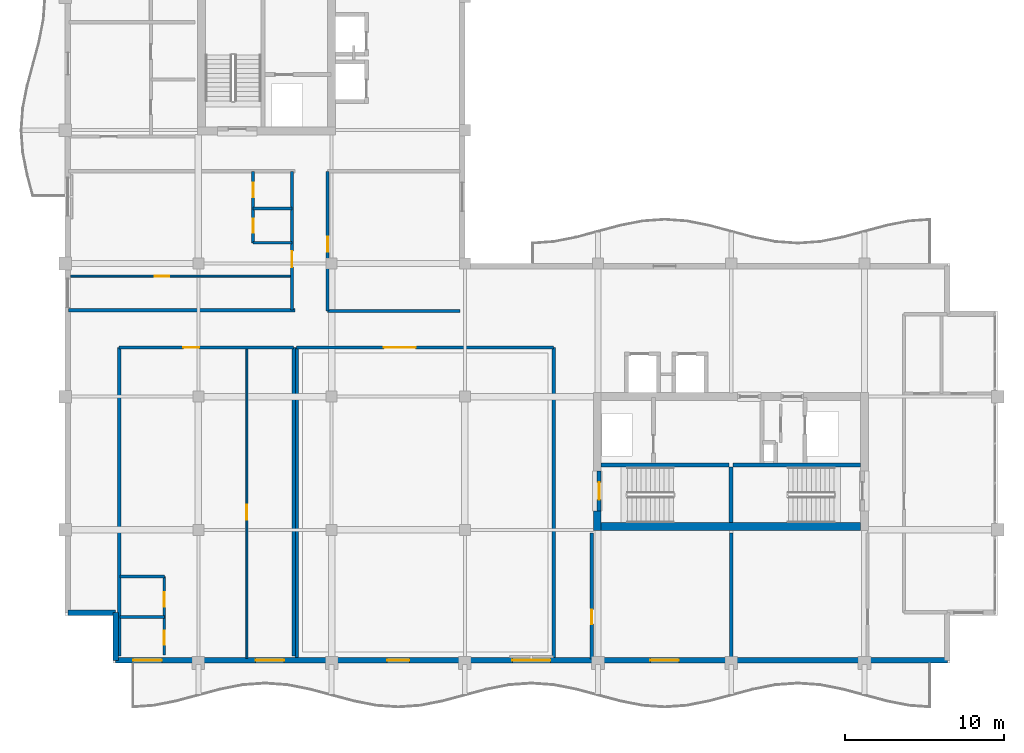
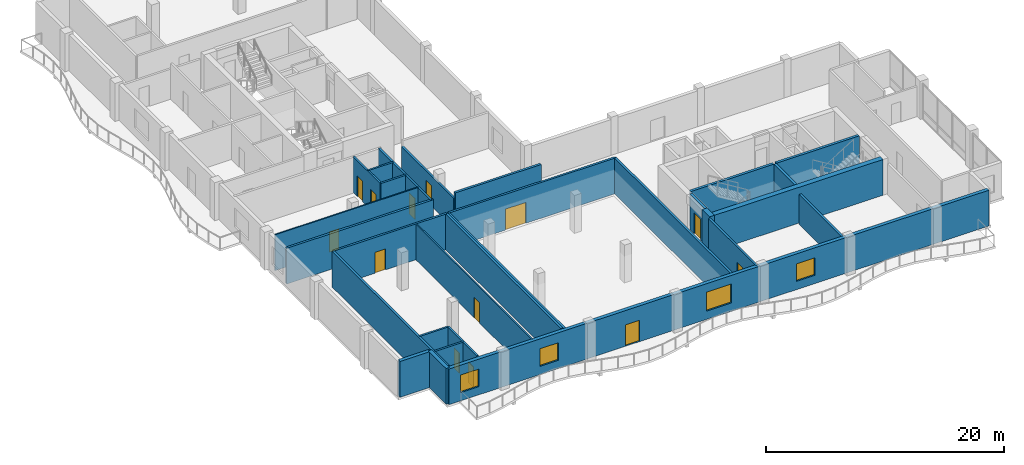
# One storey, part 6 of 14: 29 walls, 13 doors, 4 windows, 17 openings.
"""IFC4 building model written with IfcOpenShell, lengths in metres."""

from ifc_helpers import new_model, si_unit, direction, frame, frame_2d, origin, place, context, subcontext, project, spatial, rectangle, extrude, material, layer, layer_set, type_object, element, fill, save


model = new_model("IFC4")

# Units and contexts
model_context = context("Model", 3, precision=1e-05, world=origin(), true_north=direction((0.0, 1.0)))
body_context = subcontext(model_context, "Body", "Model", "MODEL_VIEW")
ifc_project = project(units=[si_unit("LENGTHUNIT", "METRE"), si_unit("AREAUNIT", "SQUARE_METRE"), si_unit("VOLUMEUNIT", "CUBIC_METRE"), si_unit("PLANEANGLEUNIT", "RADIAN"), si_unit("MASSUNIT", "GRAM", prefix="KILO")], contexts=[model_context])

# Site, building, storey
site_placement = place(None, origin())
site = spatial("IfcSite", under=ifc_project, at=site_placement, CompositionType="ELEMENT")
building_placement = place(site_placement, origin())
building = spatial("IfcBuilding", under=site, at=building_placement, Name="Koriwani Terraces Tower", CompositionType="ELEMENT")
storey_placement = place(building_placement, frame((0.0, 0.0, 339.800048828125)))
storey = spatial("IfcBuildingStorey", under=building, at=storey_placement, Name="L84", CompositionType="ELEMENT", Elevation=339.800048828125)

# Walls
ifc_material_1 = material(Name="Concrete C50/60", Category="concrete")
ifc_layer_1 = layer(ifc_material_1, 0.5, Name="Concrete C50/60")
ifc_layer_set_1 = layer_set([ifc_layer_1], Name="Concrete C50/60")
wall_type_1 = type_object("IfcWallType", Name="WALL_CORE_RC_500", PredefinedType="SHEAR", material=ifc_layer_set_1)
wall_1_placement = place(storey_placement, frame((41.949951171875, 16.75, 0.0), z_axis=(0.0, 0.0, 1.0), x_axis=(0.0, 1.0, 0.0)))
element("IfcWall", 1, at=wall_1_placement, inside=storey, type_object=wall_type_1, Name="L84 East Split Core Shear Wall W1", PredefinedType="SHEAR", context=body_context, shape_type="SweptSolid", body=[
    extrude(rectangle(XDim=1.25, YDim=0.5, at=frame_2d((0.625, 0.0))), origin(), (0.0, 0.0, 1.0), 3.669921875),
])
wall_2_placement = place(storey_placement, frame((42.199951171875, 17.0, 0.0), z_axis=(0.0, 0.0, 1.0), x_axis=(1.0, 0.0, 0.0)))
element("IfcWall", 2, at=wall_2_placement, inside=storey, type_object=wall_type_1, Name="L84 East Split Core Shear Wall S1", PredefinedType="SHEAR", context=body_context, shape_type="SweptSolid", body=[
    extrude(rectangle(XDim=16.35009765625, YDim=0.5, at=frame_2d((8.175048828125, 0.0))), origin(), (0.0, 0.0, 1.0), 3.669921875),
])

# Wall, opening, door
ifc_material_2 = material(Name="Autoclaved Cellular Concrete Blockwork", Category="masonry")
ifc_layer_2 = layer(ifc_material_2, 0.199951171875, Name="Autoclaved Cellular Concrete Blockwork")
ifc_layer_set_2 = layer_set([ifc_layer_2], Name="Autoclaved Cellular Concrete Blockwork")
wall_type_2 = type_object("IfcWallType", Name="WALL_CORRIDOR_200", PredefinedType="PARTITIONING", material=ifc_layer_set_2)
wall_3_placement = place(storey_placement, frame((24.949951171875, 30.60009765625, 0.0), z_axis=(0.0, 0.0, 1.0), x_axis=(0.0, 1.0, 0.0)))
wall_3 = element("IfcWall", 3, at=wall_3_placement, inside=storey, type_object=wall_type_2, Name="L84 Interior Wall WIC4W-L84", PredefinedType="PARTITIONING", context=body_context, shape_type="SweptSolid", body=[
    extrude(rectangle(XDim=8.7998046875, YDim=0.199951171875, at=frame_2d((4.39990234375, 0.0))), origin(), (0.0, 0.0, 1.0), 3.070068359375),
])
opening_1_placement = place(wall_3_placement, frame((3.75, 0.0, 0.0)))
opening_1 = element("IfcOpeningElement", 4, at=opening_1_placement, cuts=wall_3, Name="Opening D-06", PredefinedType="OPENING", context=body_context, shape_type="SweptSolid", body=[
    extrude(rectangle(XDim=0.919921875, YDim=2.10009765625, at=frame_2d((0.4599609375, 1.050048828125))), frame((0.0, 0.10986328125, 0.0), z_axis=(0.0, -1.0, 0.0), x_axis=(1.0, 0.0, 0.0)), (0.0, 0.0, 1.0), 0.219970703125),
])
ifc_material_3 = material(Name="Architectural Oak Fire Door", Category="wood")
door_type_1 = type_object("IfcDoorType", Name="DOOR_ROOM_INT_920X2100", OperationType="NOTDEFINED", PredefinedType="DOOR", material=ifc_material_3)
door_1_placement = place(opening_1_placement, origin())
door_1 = element("IfcDoor", 5, at=door_1_placement, inside=storey, type_object=door_type_1, Name="L84 High-Rise Court Study Door", OperationType="SINGLE_SWING_RIGHT", OverallHeight=2.10009765625, OverallWidth=0.919921875, PredefinedType="DOOR", context=body_context, shape_type="SweptSolid", body=[
    extrude(rectangle(XDim=0.919921875, YDim=2.10009765625, at=frame_2d((0.4599609375, 1.050048828125))), frame((0.0, 0.02490234375, 0.0), z_axis=(0.0, -1.0, 0.0), x_axis=(1.0, 0.0, 0.0)), (0.0, 0.0, 1.0), 0.050048828125),
])
fill(opening_1, door_1)

wall_4_placement = place(storey_placement, frame((41.60009765625, 8.64990234375, 0.0), z_axis=(0.0, 0.0, 1.0), x_axis=(0.0, 1.0, 0.0)))
wall_4 = element("IfcWall", 6, at=wall_4_placement, inside=storey, type_object=wall_type_2, Name="L84 Interior Wall WRZ4-EW-L84", PredefinedType="PARTITIONING", context=body_context, shape_type="SweptSolid", body=[
    extrude(rectangle(XDim=7.9501953125, YDim=0.199951171875, at=frame_2d((3.97509765625, 0.0))), origin(), (0.0, 0.0, 1.0), 3.669921875),
])
opening_2_placement = place(wall_4_placement, frame((2.199951171875, 0.0, 0.0)))
opening_2 = element("IfcOpeningElement", 7, at=opening_2_placement, cuts=wall_4, Name="Opening D-06", PredefinedType="OPENING", context=body_context, shape_type="SweptSolid", body=[
    extrude(rectangle(XDim=0.919921875, YDim=2.10009765625, at=frame_2d((0.4599609375, 1.050048828125))), frame((0.0, 0.10986328125, 0.0), z_axis=(0.0, -1.0, 0.0), x_axis=(1.0, 0.0, 0.0)), (0.0, 0.0, 1.0), 0.219970703125),
])
door_2_placement = place(opening_2_placement, origin())
door_2 = element("IfcDoor", 8, at=door_2_placement, inside=storey, type_object=door_type_1, Name="L84 Resident Library Study Door", OperationType="SINGLE_SWING_LEFT", OverallHeight=2.10009765625, OverallWidth=0.919921875, PredefinedType="DOOR", context=body_context, shape_type="SweptSolid", body=[
    extrude(rectangle(XDim=0.919921875, YDim=2.10009765625, at=frame_2d((0.4599609375, 1.050048828125))), frame((0.0, 0.02490234375, 0.0), z_axis=(0.0, -1.0, 0.0), x_axis=(1.0, 0.0, 0.0)), (0.0, 0.0, 1.0), 0.050048828125),
])
fill(opening_2, door_2)

wall_5_placement = place(storey_placement, frame((11.800048828125, 28.300048828125, 0.0), z_axis=(0.0, 0.0, 1.0), x_axis=(1.0, 0.0, 0.0)))
wall_5 = element("IfcWall", 9, at=wall_5_placement, inside=storey, type_object=wall_type_2, Name="L84 Interior Wall WGB-L84-SPINE-N", PredefinedType="PARTITIONING", context=body_context, shape_type="SweptSolid", body=[
    extrude(rectangle(XDim=11.0, YDim=0.199951171875, at=frame_2d((5.5, 0.0))), origin(), (0.0, 0.0, 1.0), 3.669921875),
])
opening_3_placement = place(wall_5_placement, frame((4.050048828125, 0.0, 0.0)))
opening_3 = element("IfcOpeningElement", 10, at=opening_3_placement, cuts=wall_5, Name="Opening D-05", PredefinedType="OPENING", context=body_context, shape_type="SweptSolid", body=[
    extrude(rectangle(XDim=1.0, YDim=2.14990234375, at=frame_2d((0.5, 1.074951171875))), frame((0.0, 0.10986328125, 0.0), z_axis=(0.0, -1.0, 0.0), x_axis=(1.0, 0.0, 0.0)), (0.0, 0.0, 1.0), 0.219970703125),
])
door_type_2 = type_object("IfcDoorType", Name="DOOR_SUITE_ENTRY_1000X2150", OperationType="NOTDEFINED", PredefinedType="DOOR", material=ifc_material_3)
door_3_placement = place(opening_3_placement, origin())
door_3 = element("IfcDoor", 11, at=door_3_placement, inside=storey, type_object=door_type_2, Name="Corner Residence 84SP Entrance Door", OperationType="SINGLE_SWING_LEFT", OverallHeight=2.14990234375, OverallWidth=1.0, PredefinedType="DOOR", context=body_context, shape_type="SweptSolid", body=[
    extrude(rectangle(XDim=1.0, YDim=2.14990234375, at=frame_2d((0.5, 1.074951171875))), frame((0.0, 0.02490234375, 0.0), z_axis=(0.0, -1.0, 0.0), x_axis=(1.0, 0.0, 0.0)), (0.0, 0.0, 1.0), 0.050048828125),
])
fill(opening_3, door_3)

wall_6_placement = place(storey_placement, frame((23.0, 28.300048828125, 0.0), z_axis=(0.0, 0.0, 1.0), x_axis=(1.0, 0.0, 0.0)))
wall_6 = element("IfcWall", 12, at=wall_6_placement, inside=storey, type_object=wall_type_2, Name="L84 Interior Wall WSPCLB-N-L84", PredefinedType="PARTITIONING", context=body_context, shape_type="SweptSolid", body=[
    extrude(rectangle(XDim=16.199951171875, YDim=0.199951171875, at=frame_2d((8.10009765625, 0.0))), origin(), (0.0, 0.0, 1.0), 3.669921875),
])
opening_4_placement = place(wall_6_placement, frame((5.5, 0.0, 0.0)))
opening_4 = element("IfcOpeningElement", 13, at=opening_4_placement, cuts=wall_6, Name="Opening D-02", PredefinedType="OPENING", context=body_context, shape_type="SweptSolid", body=[
    extrude(rectangle(XDim=2.0, YDim=2.14990234375, at=frame_2d((1.0, 1.074951171875))), frame((0.0, 0.10986328125, 0.0), z_axis=(0.0, -1.0, 0.0), x_axis=(1.0, 0.0, 0.0)), (0.0, 0.0, 1.0), 0.219970703125),
])
ifc_material_4 = material(Name="Anodised Bronze Aluminium", Category="aluminium")
door_type_3 = type_object("IfcDoorType", Name="DOOR_ENTRANCE_DOUBLE_2000X2400", OperationType="NOTDEFINED", PredefinedType="DOOR", material=ifc_material_4)
door_4_placement = place(opening_4_placement, origin())
door_4 = element("IfcDoor", 14, at=door_4_placement, inside=storey, type_object=door_type_3, Name="L84 Sky Screening Salon Door", OperationType="SINGLE_SWING_LEFT", OverallHeight=2.14990234375, OverallWidth=2.0, PredefinedType="DOOR", context=body_context, shape_type="SweptSolid", body=[
    extrude(rectangle(XDim=2.0, YDim=2.14990234375, at=frame_2d((1.0, 1.074951171875))), frame((0.0, 0.02490234375, 0.0), z_axis=(0.0, -1.0, 0.0), x_axis=(1.0, 0.0, 0.0)), (0.0, 0.0, 1.0), 0.050048828125),
])
fill(opening_4, door_4)

wall_7_placement = place(storey_placement, frame((22.699951171875, 30.64990234375, 0.0), z_axis=(0.0, 0.0, 1.0), x_axis=(0.0, 1.0, 0.0)))
wall_7 = element("IfcWall", 15, at=wall_7_placement, inside=storey, type_object=wall_type_2, Name="L84 Interior Wall WRCOR-L84-NE-0", PredefinedType="PARTITIONING", context=body_context, shape_type="SweptSolid", body=[
    extrude(rectangle(XDim=8.75, YDim=0.199951171875, at=frame_2d((4.375, 0.0))), origin(), (0.0, 0.0, 1.0), 3.669921875),
])
opening_5_placement = place(wall_7_placement, frame((2.719970703125, 0.0, 0.0)))
opening_5 = element("IfcOpeningElement", 16, at=opening_5_placement, cuts=wall_7, Name="Opening D-05", PredefinedType="OPENING", context=body_context, shape_type="SweptSolid", body=[
    extrude(rectangle(XDim=1.0, YDim=2.14990234375, at=frame_2d((0.5, 1.074951171875))), frame((0.0, 0.10986328125, 0.0), z_axis=(0.0, -1.0, 0.0), x_axis=(1.0, 0.0, 0.0)), (0.0, 0.0, 1.0), 0.219970703125),
])
door_5_placement = place(opening_5_placement, origin())
door_5 = element("IfcDoor", 17, at=door_5_placement, inside=storey, type_object=door_type_2, Name="Apartment 84NE1 Entrance Door", OperationType="SINGLE_SWING_RIGHT", OverallHeight=2.14990234375, OverallWidth=1.0, PredefinedType="DOOR", context=body_context, shape_type="SweptSolid", body=[
    extrude(rectangle(XDim=1.0, YDim=2.14990234375, at=frame_2d((0.5, 1.074951171875))), frame((0.0, 0.02490234375, 0.0), z_axis=(0.0, -1.0, 0.0), x_axis=(1.0, 0.0, 0.0)), (0.0, 0.0, 1.0), 0.050048828125),
])
fill(opening_5, door_5)

# Walls
ifc_layer_3 = layer(ifc_material_2, 0.219970703125, Name="Autoclaved Cellular Concrete Blockwork")
ifc_layer_set_3 = layer_set([ifc_layer_3], Name="Autoclaved Cellular Concrete Blockwork")
wall_type_3 = type_object("IfcWallType", Name="WALL_DEMISING_220", PredefinedType="PARTITIONING", material=ifc_layer_set_3)
wall_8_placement = place(storey_placement, frame((24.949951171875, 30.60009765625, 0.0), z_axis=(0.0, 0.0, 1.0), x_axis=(1.0, 0.0, 0.0)))
element("IfcWall", 18, at=wall_8_placement, inside=storey, type_object=wall_type_3, Name="L84 Interior Wall WIC4WS-L84", PredefinedType="PARTITIONING", context=body_context, shape_type="SweptSolid", body=[
    extrude(rectangle(XDim=8.35009765625, YDim=0.219970703125, at=frame_2d((4.175048828125, 0.0))), origin(), (0.0, 0.0, 1.0), 3.669921875),
])
wall_9_placement = place(storey_placement, frame((50.39990234375, 8.64990234375, 0.0), z_axis=(0.0, 0.0, 1.0), x_axis=(0.0, 1.0, 0.0)))
element("IfcWall", 19, at=wall_9_placement, inside=storey, type_object=wall_type_3, Name="L84 Interior Wall WRZ4-EM-L84", PredefinedType="PARTITIONING", context=body_context, shape_type="SweptSolid", body=[
    extrude(rectangle(XDim=7.9501953125, YDim=0.219970703125, at=frame_2d((3.97509765625, 0.0))), origin(), (0.0, 0.0, 1.0), 3.070068359375),
])
for number, where, z_axis, x_axis, name in (
    (20, (22.800048828125, 8.85009765625, 0.0), (0.0, 0.0, 1.0), (0.0, 1.0, 0.0), "L84 Interior Wall WGB-L84-SPINE-E"),
    (21, (11.800048828125, 8.85009765625, 0.0), (0.0, 0.0, 1.0), (0.0, 1.0, 0.0), "L84 Interior Wall WGB-L84-SPINE-W"),
):
    element("IfcWall", number, at=place(storey_placement, frame(where, z_axis=z_axis, x_axis=x_axis)), inside=storey, type_object=wall_type_3, Name=name, PredefinedType="PARTITIONING", context=body_context, shape_type="SweptSolid", body=[
        extrude(rectangle(XDim=19.449951171875, YDim=0.219970703125, at=frame_2d((9.72509765625, 0.0))), origin(), (0.0, 0.0, 1.0), 3.669921875),
    ])
for number, where, z_axis, x_axis, name in (
    (22, (23.0, 8.75, 0.0), (0.0, 0.0, 1.0), (0.0, 1.0, 0.0), "L84 Interior Wall WSPCLB-W-L84"),
    (23, (39.199951171875, 8.75, 0.0), (0.0, 0.0, 1.0), (0.0, 1.0, 0.0), "L84 Interior Wall WSPCLB-E-L84"),
):
    element("IfcWall", number, at=place(storey_placement, frame(where, z_axis=z_axis, x_axis=x_axis)), inside=storey, type_object=wall_type_3, Name=name, PredefinedType="PARTITIONING", context=body_context, shape_type="SweptSolid", body=[
        extrude(rectangle(XDim=19.550048828125, YDim=0.219970703125, at=frame_2d((9.77490234375, 0.0))), origin(), (0.0, 0.0, 1.0), 3.669921875),
    ])
wall_10_placement = place(storey_placement, frame((8.60009765625, 30.64990234375, 0.0), z_axis=(0.0, 0.0, 1.0), x_axis=(1.0, 0.0, 0.0)))
element("IfcWall", 24, at=wall_10_placement, inside=storey, type_object=wall_type_3, Name="L84 Interior Wall WRDEM-L84-NE-0", PredefinedType="PARTITIONING", context=body_context, shape_type="SweptSolid", body=[
    extrude(rectangle(XDim=14.27978515625, YDim=0.219970703125, at=frame_2d((7.139892578125, 0.0))), origin(), (0.0, 0.0, 1.0), 3.669921875),
])
ifc_layer_4 = layer(ifc_material_1, 0.35009765625, Name="Concrete C50/60")
ifc_layer_set_4 = layer_set([ifc_layer_4], Name="Concrete C50/60")
wall_type_4 = type_object("IfcWallType", Name="WALL_EXT_BRUTALIST_350", PredefinedType="STANDARD", material=ifc_layer_set_4)
for number, where, z_axis, x_axis, name in (
    (25, (11.574951171875, 8.574951171875, 0.0), (0.0, 0.0, 1.0), (0.0, 1.0, 0.0), "L84 Fair-Faced Brutalist Exterior Wall (N0)"),
    (26, (11.574951171875, 11.574951171875, 0.0), (0.0, 0.0, 1.0), (-1.0, 0.0, 0.0), "L84 Fair-Faced Brutalist Exterior Wall (N1)"),
):
    element("IfcWall", number, at=place(storey_placement, frame(where, z_axis=z_axis, x_axis=x_axis)), inside=storey, type_object=wall_type_4, Name=name, PredefinedType="STANDARD", context=body_context, shape_type="SweptSolid", body=[
        extrude(rectangle(XDim=3.0, YDim=0.35009765625, at=frame_2d((1.5, 0.0))), origin(), (0.0, 0.0, 1.0), 3.669921875),
    ])

# Wall, openings, door, windows
wall_11_placement = place(storey_placement, frame((64.02490234375, 8.574951171875, 0.0), z_axis=(0.0, 0.0, 1.0), x_axis=(-1.0, 0.0, 0.0)))
wall_11 = element("IfcWall", 27, at=wall_11_placement, inside=storey, type_object=wall_type_4, Name="L84 Fair-Faced Brutalist Exterior Wall (S)", PredefinedType="STANDARD", context=body_context, shape_type="SweptSolid", body=[
    extrude(rectangle(XDim=52.449951171875, YDim=0.35009765625, at=frame_2d((26.22509765625, 0.0))), origin(), (0.0, 0.0, 1.0), 3.669921875),
])
opening_6_placement = place(wall_11_placement, frame((33.925048828125, 0.0, 0.0)))
opening_6 = element("IfcOpeningElement", 28, at=opening_6_placement, cuts=wall_11, Name="Opening D-09", PredefinedType="OPENING", context=body_context, shape_type="SweptSolid", body=[
    extrude(rectangle(XDim=1.39990234375, YDim=2.199951171875, at=frame_2d((0.699951171875, 1.10009765625))), frame((0.0, 0.18505859375, 0.0), z_axis=(0.0, -1.0, 0.0), x_axis=(1.0, 0.0, 0.0)), (0.0, 0.0, 1.0), 0.3701171875),
])
opening_7_placement = place(wall_11_placement, frame((25.02490234375, 0.0, 0.85009765625)))
opening_7 = element("IfcOpeningElement", 29, at=opening_7_placement, cuts=wall_11, Name="Opening W-03", PredefinedType="OPENING", context=body_context, shape_type="SweptSolid", body=[
    extrude(rectangle(XDim=2.39990234375, YDim=1.949951171875, at=frame_2d((1.199951171875, 0.97509765625))), frame((0.0, 0.18505859375, 0.0), z_axis=(0.0, -1.0, 0.0), x_axis=(1.0, 0.0, 0.0)), (0.0, 0.0, 1.0), 0.3701171875),
])
opening_8_placement = place(wall_11_placement, frame((16.925048828125, 0.0, 0.85009765625)))
opening_8 = element("IfcOpeningElement", 30, at=opening_8_placement, cuts=wall_11, Name="Opening W-04", PredefinedType="OPENING", context=body_context, shape_type="SweptSolid", body=[
    extrude(rectangle(XDim=1.800048828125, YDim=1.800048828125, at=frame_2d((0.89990234375, 0.89990234375))), frame((0.0, 0.18505859375, 0.0), z_axis=(0.0, -1.0, 0.0), x_axis=(1.0, 0.0, 0.0)), (0.0, 0.0, 1.0), 0.3701171875),
])
opening_9_placement = place(wall_11_placement, frame((41.81494140625, 0.0, 0.85009765625)))
opening_9 = element("IfcOpeningElement", 31, at=opening_9_placement, cuts=wall_11, Name="Opening W-04", PredefinedType="OPENING", context=body_context, shape_type="SweptSolid", body=[
    extrude(rectangle(XDim=1.800048828125, YDim=1.800048828125, at=frame_2d((0.89990234375, 0.89990234375))), frame((0.0, 0.18505859375, 0.0), z_axis=(0.0, -1.0, 0.0), x_axis=(1.0, 0.0, 0.0)), (0.0, 0.0, 1.0), 0.3701171875),
])
opening_10_placement = place(wall_11_placement, frame((49.534912109375, 0.0, 0.85009765625)))
opening_10 = element("IfcOpeningElement", 32, at=opening_10_placement, cuts=wall_11, Name="Opening W-04", PredefinedType="OPENING", context=body_context, shape_type="SweptSolid", body=[
    extrude(rectangle(XDim=1.800048828125, YDim=1.800048828125, at=frame_2d((0.89990234375, 0.89990234375))), frame((0.0, 0.18505859375, 0.0), z_axis=(0.0, -1.0, 0.0), x_axis=(1.0, 0.0, 0.0)), (0.0, 0.0, 1.0), 0.3701171875),
])
door_type_4 = type_object("IfcDoorType", Name="DOOR_BALCONY_GLAZED_1400X2200", OperationType="NOTDEFINED", PredefinedType="DOOR", material=ifc_material_4)
door_6_placement = place(opening_6_placement, origin())
door_6 = element("IfcDoor", 33, at=door_6_placement, inside=storey, type_object=door_type_4, Name="L84 South Balcony Glazed Door", OperationType="SINGLE_SWING_LEFT", OverallHeight=2.199951171875, OverallWidth=1.39990234375, PredefinedType="DOOR", context=body_context, shape_type="SweptSolid", body=[
    extrude(rectangle(XDim=1.39990234375, YDim=2.199951171875, at=frame_2d((0.699951171875, 1.10009765625))), frame((0.0, 0.02490234375, 0.0), z_axis=(0.0, -1.0, 0.0), x_axis=(1.0, 0.0, 0.0)), (0.0, 0.0, 1.0), 0.050048828125),
])
fill(opening_6, door_6)
ifc_material_5 = material(Name="Tempered Laminated Low-E Glass", Category="glass")
window_type_1 = type_object("IfcWindowType", Name="WIN_RES_BED_1800X1800", PartitioningType="DOUBLE_PANEL_VERTICAL", PredefinedType="WINDOW", material=ifc_material_5)
window_1_placement = place(opening_8_placement, origin())
window_1 = element("IfcWindow", 34, at=window_1_placement, inside=storey, type_object=window_type_1, Name="L84 Exterior Window (S-12)", OverallHeight=1.800048828125, OverallWidth=1.800048828125, PartitioningType="SINGLE_PANEL", PredefinedType="WINDOW", context=body_context, shape_type="SweptSolid", body=[
    extrude(rectangle(XDim=1.800048828125, YDim=1.800048828125, at=frame_2d((0.89990234375, 0.89990234375))), frame((0.0, 0.030029296875, 0.0), z_axis=(0.0, -1.0, 0.0), x_axis=(1.0, 0.0, 0.0)), (0.0, 0.0, 1.0), 0.06005859375),
])
fill(opening_8, window_1)
window_2_placement = place(opening_9_placement, origin())
window_2 = element("IfcWindow", 35, at=window_2_placement, inside=storey, type_object=window_type_1, Name="L84 Exterior Window (S-R32)", OverallHeight=1.800048828125, OverallWidth=1.800048828125, PartitioningType="SINGLE_PANEL", PredefinedType="WINDOW", context=body_context, shape_type="SweptSolid", body=[
    extrude(rectangle(XDim=1.800048828125, YDim=1.800048828125, at=frame_2d((0.89990234375, 0.89990234375))), frame((0.0, 0.030029296875, 0.0), z_axis=(0.0, -1.0, 0.0), x_axis=(1.0, 0.0, 0.0)), (0.0, 0.0, 1.0), 0.06005859375),
])
fill(opening_9, window_2)
window_3_placement = place(opening_10_placement, origin())
window_3 = element("IfcWindow", 36, at=window_3_placement, inside=storey, type_object=window_type_1, Name="L84 Exterior Window (S-R33)", OverallHeight=1.800048828125, OverallWidth=1.800048828125, PartitioningType="SINGLE_PANEL", PredefinedType="WINDOW", context=body_context, shape_type="SweptSolid", body=[
    extrude(rectangle(XDim=1.800048828125, YDim=1.800048828125, at=frame_2d((0.89990234375, 0.89990234375))), frame((0.0, 0.030029296875, 0.0), z_axis=(0.0, -1.0, 0.0), x_axis=(1.0, 0.0, 0.0)), (0.0, 0.0, 1.0), 0.06005859375),
])
fill(opening_10, window_3)
window_type_2 = type_object("IfcWindowType", Name="WIN_RES_LIVING_2400X1950", PartitioningType="DOUBLE_PANEL_VERTICAL", PredefinedType="WINDOW", material=ifc_material_5)
window_4_placement = place(opening_7_placement, origin())
window_4 = element("IfcWindow", 37, at=window_4_placement, inside=storey, type_object=window_type_2, Name="L84 Exterior Window (S-9)", OverallHeight=1.949951171875, OverallWidth=2.39990234375, PartitioningType="SINGLE_PANEL", PredefinedType="WINDOW", context=body_context, shape_type="SweptSolid", body=[
    extrude(rectangle(XDim=2.39990234375, YDim=1.949951171875, at=frame_2d((1.199951171875, 0.97509765625))), frame((0.0, 0.030029296875, 0.0), z_axis=(0.0, -1.0, 0.0), x_axis=(1.0, 0.0, 0.0)), (0.0, 0.0, 1.0), 0.06005859375),
])
fill(opening_7, window_4)

# Wall, opening, door
ifc_material_6 = material(Name="Fire-Rated Acoustic Gypsum Partition", Category="masonry")
ifc_layer_5 = layer(ifc_material_6, 0.125, Name="Fire-Rated Acoustic Gypsum Partition")
ifc_layer_set_5 = layer_set([ifc_layer_5], Name="Fire-Rated Acoustic Gypsum Partition")
wall_type_5 = type_object("IfcWallType", Name="WALL_INT_125", PredefinedType="PARTITIONING", material=ifc_layer_set_5)
wall_12_placement = place(storey_placement, frame((19.85009765625, 8.699951171875, 0.0), z_axis=(0.0, 0.0, 1.0), x_axis=(0.0, 1.0, 0.0)))
wall_12 = element("IfcWall", 38, at=wall_12_placement, inside=storey, type_object=wall_type_5, Name="L84 Interior Wall WGB-L84-SPINE-BD", PredefinedType="PARTITIONING", context=body_context, shape_type="SweptSolid", body=[
    extrude(rectangle(XDim=19.650146484375, YDim=0.125, at=frame_2d((9.8251953125, 0.0))), origin(), (0.0, 0.0, 1.0), 3.669921875),
])
opening_11_placement = place(wall_12_placement, frame((8.751953125, 0.0, 0.0)))
opening_11 = element("IfcOpeningElement", 39, at=opening_11_placement, cuts=wall_12, Name="Opening D-06", PredefinedType="OPENING", context=body_context, shape_type="SweptSolid", body=[
    extrude(rectangle(XDim=0.919921875, YDim=2.10009765625, at=frame_2d((0.4599609375, 1.050048828125))), frame((0.0, 0.072509765625, 0.0), z_axis=(0.0, -1.0, 0.0), x_axis=(1.0, 0.0, 0.0)), (0.0, 0.0, 1.0), 0.14501953125),
])
door_7_placement = place(opening_11_placement, origin())
door_7 = element("IfcDoor", 40, at=door_7_placement, inside=storey, type_object=door_type_1, Name="Corner Residence 84SP Master Suite Door", OperationType="SINGLE_SWING_RIGHT", OverallHeight=2.10009765625, OverallWidth=0.919921875, PredefinedType="DOOR", context=body_context, shape_type="SweptSolid", body=[
    extrude(rectangle(XDim=0.919921875, YDim=2.10009765625, at=frame_2d((0.4599609375, 1.050048828125))), frame((0.0, 0.02490234375, 0.0), z_axis=(0.0, -1.0, 0.0), x_axis=(1.0, 0.0, 0.0)), (0.0, 0.0, 1.0), 0.050048828125),
])
fill(opening_11, door_7)

wall_13_placement = place(storey_placement, frame((8.75, 32.800048828125, 0.0), z_axis=(0.0, 0.0, 1.0), x_axis=(1.0, 0.0, 0.0)))
wall_13 = element("IfcWall", 41, at=wall_13_placement, inside=storey, type_object=wall_type_5, Name="L84 Interior Wall WRBED1-L84-NE-0", PredefinedType="PARTITIONING", context=body_context, shape_type="SweptSolid", body=[
    extrude(rectangle(XDim=13.949951171875, YDim=0.125, at=frame_2d((6.97509765625, 0.0))), origin(), (0.0, 0.0, 1.0), 3.669921875),
])
opening_12_placement = place(wall_13_placement, frame((5.2900390625, 0.0, 0.0)))
opening_12 = element("IfcOpeningElement", 42, at=opening_12_placement, cuts=wall_13, Name="Opening D-06", PredefinedType="OPENING", context=body_context, shape_type="SweptSolid", body=[
    extrude(rectangle(XDim=0.919921875, YDim=2.10009765625, at=frame_2d((0.4599609375, 1.050048828125))), frame((0.0, 0.072509765625, 0.0), z_axis=(0.0, -1.0, 0.0), x_axis=(1.0, 0.0, 0.0)), (0.0, 0.0, 1.0), 0.14501953125),
])
door_8_placement = place(opening_12_placement, origin())
door_8 = element("IfcDoor", 43, at=door_8_placement, inside=storey, type_object=door_type_1, Name="Apartment 84NE1 Master Bedroom Door", OperationType="SINGLE_SWING_LEFT", OverallHeight=2.10009765625, OverallWidth=0.919921875, PredefinedType="DOOR", context=body_context, shape_type="SweptSolid", body=[
    extrude(rectangle(XDim=0.919921875, YDim=2.10009765625, at=frame_2d((0.4599609375, 1.050048828125))), frame((0.0, 0.02490234375, 0.0), z_axis=(0.0, -1.0, 0.0), x_axis=(1.0, 0.0, 0.0)), (0.0, 0.0, 1.0), 0.050048828125),
])
fill(opening_12, door_8)

# Wall, openings, doors
ifc_layer_6 = layer(ifc_material_6, 0.179931640625, Name="Fire-Rated Acoustic Gypsum Partition")
ifc_layer_set_6 = layer_set([ifc_layer_6], Name="Fire-Rated Acoustic Gypsum Partition")
wall_type_6 = type_object("IfcWallType", Name="WALL_PLUMBING_180", PredefinedType="PLUMBINGWALL", material=ifc_layer_set_6)
wall_14_placement = place(storey_placement, frame((14.64990234375, 8.89990234375, 0.0), z_axis=(0.0, 0.0, 1.0), x_axis=(0.0, 1.0, 0.0)))
wall_14 = element("IfcWall", 44, at=wall_14_placement, inside=storey, type_object=wall_type_6, Name="L84 Interior Wall WGB-L84-SPINE-SVB", PredefinedType="PLUMBINGWALL", context=body_context, shape_type="SweptSolid", body=[
    extrude(rectangle(XDim=4.9501953125, YDim=0.179931640625, at=frame_2d((2.47509765625, 0.0))), origin(), (0.0, 0.0, 1.0), 3.669921875),
])
opening_13_placement = place(wall_14_placement, frame((0.64990234375, 0.0, 0.0)))
opening_13 = element("IfcOpeningElement", 45, at=opening_13_placement, cuts=wall_14, Name="Opening D-07", PredefinedType="OPENING", context=body_context, shape_type="SweptSolid", body=[
    extrude(rectangle(XDim=0.89990234375, YDim=2.10009765625, at=frame_2d((0.449951171875, 1.050048828125))), frame((0.0, 0.10009765625, 0.0), z_axis=(0.0, -1.0, 0.0), x_axis=(1.0, 0.0, 0.0)), (0.0, 0.0, 1.0), 0.199951171875),
])
opening_14_placement = place(wall_14_placement, frame((3.050048828125, 0.0, 0.0)))
opening_14 = element("IfcOpeningElement", 46, at=opening_14_placement, cuts=wall_14, Name="Opening D-06", PredefinedType="OPENING", context=body_context, shape_type="SweptSolid", body=[
    extrude(rectangle(XDim=0.919921875, YDim=2.10009765625, at=frame_2d((0.4599609375, 1.050048828125))), frame((0.0, 0.10009765625, 0.0), z_axis=(0.0, -1.0, 0.0), x_axis=(1.0, 0.0, 0.0)), (0.0, 0.0, 1.0), 0.199951171875),
])
door_type_5 = type_object("IfcDoorType", Name="DOOR_BATH_INT_900X2100", OperationType="NOTDEFINED", PredefinedType="DOOR", material=ifc_material_3)
door_9_placement = place(opening_13_placement, origin())
door_9 = element("IfcDoor", 47, at=door_9_placement, inside=storey, type_object=door_type_5, Name="Corner Residence 84SP Bathroom Door", OperationType="SINGLE_SWING_RIGHT", OverallHeight=2.10009765625, OverallWidth=0.89990234375, PredefinedType="DOOR", context=body_context, shape_type="SweptSolid", body=[
    extrude(rectangle(XDim=0.89990234375, YDim=2.10009765625, at=frame_2d((0.449951171875, 1.050048828125))), frame((0.0, 0.02490234375, 0.0), z_axis=(0.0, -1.0, 0.0), x_axis=(1.0, 0.0, 0.0)), (0.0, 0.0, 1.0), 0.050048828125),
])
fill(opening_13, door_9)
door_10_placement = place(opening_14_placement, origin())
door_10 = element("IfcDoor", 48, at=door_10_placement, inside=storey, type_object=door_type_1, Name="Corner Residence 84SP Kitchen Door", OperationType="SINGLE_SWING_LEFT", OverallHeight=2.10009765625, OverallWidth=0.919921875, PredefinedType="DOOR", context=body_context, shape_type="SweptSolid", body=[
    extrude(rectangle(XDim=0.919921875, YDim=2.10009765625, at=frame_2d((0.4599609375, 1.050048828125))), frame((0.0, 0.02490234375, 0.0), z_axis=(0.0, -1.0, 0.0), x_axis=(1.0, 0.0, 0.0)), (0.0, 0.0, 1.0), 0.050048828125),
])
fill(opening_14, door_10)

# Walls
for number, where, z_axis, x_axis, name in (
    (49, (11.85009765625, 11.300048828125, 0.0), (0.0, 0.0, 1.0), (1.0, 0.0, 0.0), "L84 Interior Wall WGB-L84-SPINE-SVM"),
    (50, (11.85009765625, 13.85009765625, 0.0), (0.0, 0.0, 1.0), (1.0, 0.0, 0.0), "L84 Interior Wall WGB-L84-SPINE-SV2"),
):
    element("IfcWall", number, at=place(storey_placement, frame(where, z_axis=z_axis, x_axis=x_axis)), inside=storey, type_object=wall_type_6, Name=name, PredefinedType="PLUMBINGWALL", context=body_context, shape_type="SweptSolid", body=[
        extrude(rectangle(XDim=2.7998046875, YDim=0.179931640625, at=frame_2d((1.39990234375, 0.0))), origin(), (0.0, 0.0, 1.0), 3.669921875),
    ])

# Wall, openings, doors
wall_15_placement = place(storey_placement, frame((20.25, 34.89990234375, 0.0), z_axis=(0.0, 0.0, 1.0), x_axis=(0.0, 1.0, 0.0)))
wall_15 = element("IfcWall", 51, at=wall_15_placement, inside=storey, type_object=wall_type_6, Name="L84 Interior Wall WRSVC-L84-NE-0", PredefinedType="PLUMBINGWALL", context=body_context, shape_type="SweptSolid", body=[
    extrude(rectangle(XDim=4.5, YDim=0.179931640625, at=frame_2d((2.25, 0.0))), origin(), (0.0, 0.0, 1.0), 3.669921875),
])
opening_15_placement = place(wall_15_placement, frame((0.6298828125, 0.0, 0.0)))
opening_15 = element("IfcOpeningElement", 52, at=opening_15_placement, cuts=wall_15, Name="Opening D-07", PredefinedType="OPENING", context=body_context, shape_type="SweptSolid", body=[
    extrude(rectangle(XDim=0.89990234375, YDim=2.10009765625, at=frame_2d((0.449951171875, 1.050048828125))), frame((0.0, 0.10009765625, 0.0), z_axis=(0.0, -1.0, 0.0), x_axis=(1.0, 0.0, 0.0)), (0.0, 0.0, 1.0), 0.199951171875),
])
opening_16_placement = place(wall_15_placement, frame((2.8701171875, 0.0, 0.0)))
opening_16 = element("IfcOpeningElement", 53, at=opening_16_placement, cuts=wall_15, Name="Opening D-06", PredefinedType="OPENING", context=body_context, shape_type="SweptSolid", body=[
    extrude(rectangle(XDim=0.919921875, YDim=2.10009765625, at=frame_2d((0.4599609375, 1.050048828125))), frame((0.0, 0.10009765625, 0.0), z_axis=(0.0, -1.0, 0.0), x_axis=(1.0, 0.0, 0.0)), (0.0, 0.0, 1.0), 0.199951171875),
])
door_11_placement = place(opening_15_placement, origin())
door_11 = element("IfcDoor", 54, at=door_11_placement, inside=storey, type_object=door_type_5, Name="Apartment 84NE1 Bathroom Door", OperationType="SINGLE_SWING_LEFT", OverallHeight=2.10009765625, OverallWidth=0.89990234375, PredefinedType="DOOR", context=body_context, shape_type="SweptSolid", body=[
    extrude(rectangle(XDim=0.89990234375, YDim=2.10009765625, at=frame_2d((0.449951171875, 1.050048828125))), frame((0.0, 0.02490234375, 0.0), z_axis=(0.0, -1.0, 0.0), x_axis=(1.0, 0.0, 0.0)), (0.0, 0.0, 1.0), 0.050048828125),
])
fill(opening_15, door_11)
door_12_placement = place(opening_16_placement, origin())
door_12 = element("IfcDoor", 55, at=door_12_placement, inside=storey, type_object=door_type_1, Name="Apartment 84NE1 Kitchen Door", OperationType="SINGLE_SWING_RIGHT", OverallHeight=2.10009765625, OverallWidth=0.919921875, PredefinedType="DOOR", context=body_context, shape_type="SweptSolid", body=[
    extrude(rectangle(XDim=0.919921875, YDim=2.10009765625, at=frame_2d((0.4599609375, 1.050048828125))), frame((0.0, 0.02490234375, 0.0), z_axis=(0.0, -1.0, 0.0), x_axis=(1.0, 0.0, 0.0)), (0.0, 0.0, 1.0), 0.050048828125),
])
fill(opening_16, door_12)

# Walls
for number, where, z_axis, x_axis, name in (
    (56, (20.25, 34.89990234375, 0.0), (0.0, 0.0, 1.0), (1.0, 0.0, 0.0), "L84 Interior Wall WRSVCS-L84-NE-0"),
    (57, (20.25, 37.06005859375, 0.0), (0.0, 0.0, 1.0), (1.0, 0.0, 0.0), "L84 Interior Wall WRSVCM-L84-NE-0"),
):
    element("IfcWall", number, at=place(storey_placement, frame(where, z_axis=z_axis, x_axis=x_axis)), inside=storey, type_object=wall_type_6, Name=name, PredefinedType="PLUMBINGWALL", context=body_context, shape_type="SweptSolid", body=[
        extrude(rectangle(XDim=2.449951171875, YDim=0.179931640625, at=frame_2d((1.22509765625, 0.0))), origin(), (0.0, 0.0, 1.0), 3.669921875),
    ])
ifc_material_7 = material(Name="Concrete C40/50", Category="concrete")
ifc_layer_7 = layer(ifc_material_7, 0.25, Name="Concrete C40/50")
ifc_layer_set_7 = layer_set([ifc_layer_7], Name="Concrete C40/50")
wall_type_7 = type_object("IfcWallType", Name="WALL_SHAFT_RATED_250", PredefinedType="SOLIDWALL", material=ifc_layer_set_7)
for number, where, z_axis, x_axis, name in (
    (58, (42.199951171875, 20.875, 0.0), (0.0, 0.0, 1.0), (1.0, 0.0, 0.0), "L84 East Split Core Web Wall MID1"),
    (59, (50.5, 20.875, 0.0), (0.0, 0.0, 1.0), (1.0, 0.0, 0.0), "L84 East Split Core Web Wall MID2"),
):
    element("IfcWall", number, at=place(storey_placement, frame(where, z_axis=z_axis, x_axis=x_axis)), inside=storey, type_object=wall_type_7, Name=name, PredefinedType="SOLIDWALL", context=body_context, shape_type="SweptSolid", body=[
        extrude(rectangle(XDim=8.050048828125, YDim=0.25, at=frame_2d((4.02490234375, 0.0))), origin(), (0.0, 0.0, 1.0), 3.669921875),
    ])
wall_16_placement = place(storey_placement, frame((50.375, 17.25, 0.0), z_axis=(0.0, 0.0, 1.0), x_axis=(0.0, 1.0, 0.0)))
element("IfcWall", 60, at=wall_16_placement, inside=storey, type_object=wall_type_7, Name="L84 East Split Core Stair Dividing Wall", PredefinedType="SOLIDWALL", context=body_context, shape_type="SweptSolid", body=[
    extrude(rectangle(XDim=3.5, YDim=0.25, at=frame_2d((1.75, 0.0))), origin(), (0.0, 0.0, 1.0), 3.669921875),
])

# Wall, opening, door
wall_17_placement = place(storey_placement, frame((42.074951171875, 18.0, 0.0), z_axis=(0.0, 0.0, 1.0), x_axis=(0.0, 1.0, 0.0)))
wall_17 = element("IfcWall", 61, at=wall_17_placement, inside=storey, type_object=wall_type_7, Name="L84 Interior Wall WIN-CE-L84-STW", PredefinedType="SOLIDWALL", context=body_context, shape_type="SweptSolid", body=[
    extrude(rectangle(XDim=2.5, YDim=0.25, at=frame_2d((1.25, 0.0))), origin(), (0.0, 0.0, 1.0), 3.669921875),
])
opening_17_placement = place(wall_17_placement, frame((0.699951171875, 0.0, 0.0)))
opening_17 = element("IfcOpeningElement", 62, at=opening_17_placement, cuts=wall_17, Name="Opening D-03", PredefinedType="OPENING", context=body_context, shape_type="SweptSolid", body=[
    extrude(rectangle(XDim=1.10009765625, YDim=2.14990234375, at=frame_2d((0.550048828125, 1.074951171875))), frame((0.0, 0.135009765625, 0.0), z_axis=(0.0, -1.0, 0.0), x_axis=(1.0, 0.0, 0.0)), (0.0, 0.0, 1.0), 0.27001953125),
])
ifc_material_8 = material(Name="Steel ASTM A572 Grade 50", Category="steel")
door_type_6 = type_object("IfcDoorType", Name="DOOR_STAIR_FIRE_1100X2150", OperationType="NOTDEFINED", PredefinedType="DOOR", material=ifc_material_8)
door_13_placement = place(opening_17_placement, origin())
door_13 = element("IfcDoor", 63, at=door_13_placement, inside=storey, type_object=door_type_6, Name="L84 Exit Stair ST-E1 Door", OperationType="SINGLE_SWING_LEFT", OverallHeight=2.14990234375, OverallWidth=1.10009765625, PredefinedType="DOOR", context=body_context, shape_type="SweptSolid", body=[
    extrude(rectangle(XDim=1.10009765625, YDim=2.14990234375, at=frame_2d((0.550048828125, 1.074951171875))), frame((0.0, 0.02490234375, 0.0), z_axis=(0.0, -1.0, 0.0), x_axis=(1.0, 0.0, 0.0)), (0.0, 0.0, 1.0), 0.050048828125),
])
fill(opening_17, door_13)

save(model, "model.ifc")
